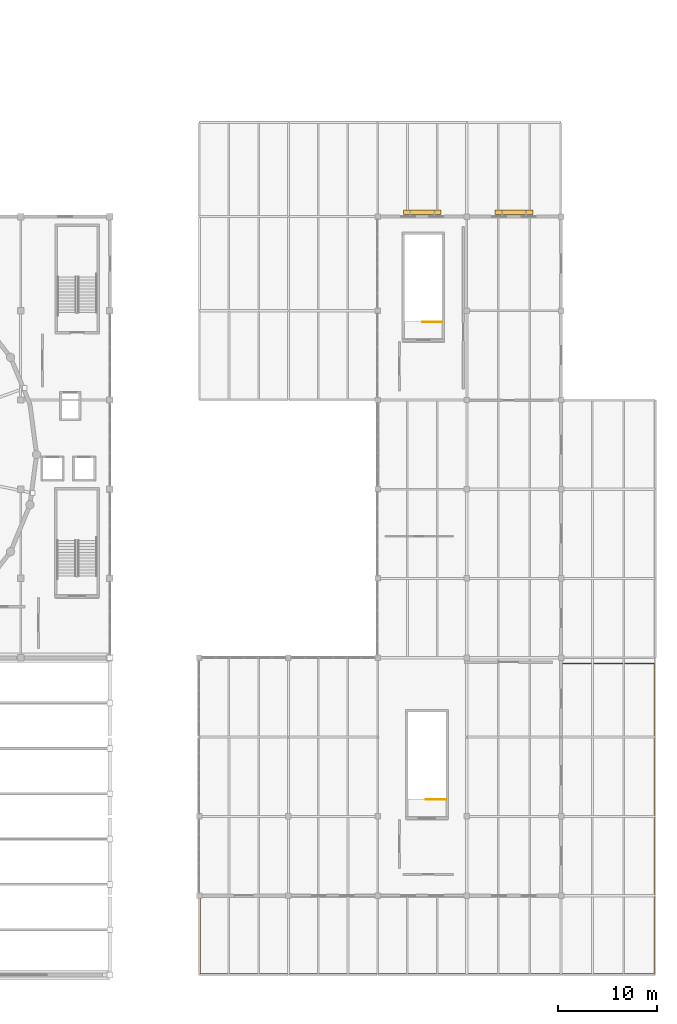
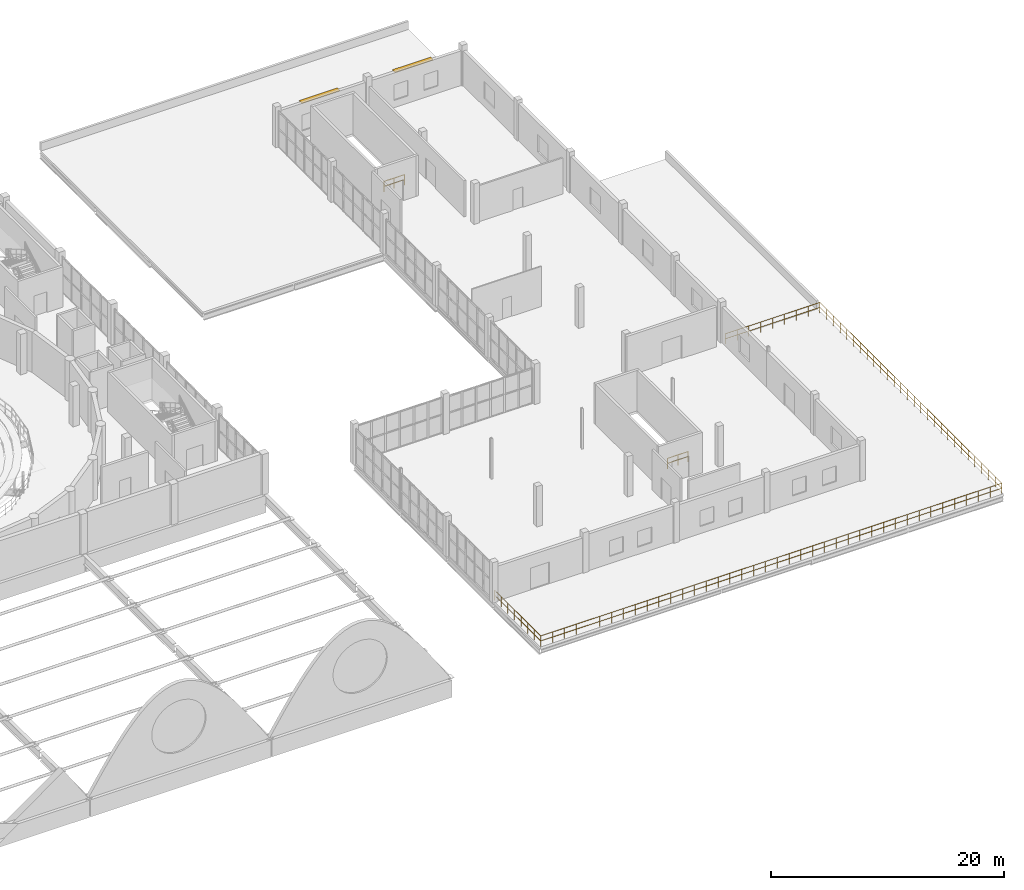
# One storey, part 54 of 54: 3 railings, 2 shading devices.
"""IFC4 building model written with IfcOpenShell, lengths in metres."""

import ifcopenshell
import ifcopenshell.guid

model = None  # the IFC model being written
_history = None  # IfcOwnerHistory: only IFC2X3 demands one
_inside = {}  # id of a spatial element -> (the spatial element, [elements in it])
_under = {}  # id of a project, library or spatial element -> (it, [spatial elements below it])
_declared = {}  # id of a project -> (the project, [libraries it declares])
_typed = {}  # id of a type object -> (the type object, [elements of that type])
_made_of = {}  # id of a material, layer set ... -> (it, [elements and type objects made of it])


def new_model(schema):
    """Start an empty IFC model of exactly this schema.

    Asked for "IFC4X3", IfcOpenShell would pick the latest addendum, in which some entities
    have other attributes; the version numbers below select the first issue.
    IFC2X3 requires an IfcOwnerHistory on every rooted entity: one is made here for all.
    """
    global model, _history
    if schema == "IFC4X3":
        model = ifcopenshell.file(schema_version=(4, 3, 0, 0))
    else:
        model = ifcopenshell.file(schema=schema)
    _inside.clear()
    _under.clear()
    _declared.clear()
    _typed.clear()
    _made_of.clear()
    _history = None
    if model.schema == "IFC2X3":
        org = make("IfcOrganization", Name="unknown")
        user = make(
            "IfcPersonAndOrganization",
            ThePerson=make("IfcPerson", FamilyName="unknown"),
            TheOrganization=org,
        )
        app = make(
            "IfcApplication",
            ApplicationDeveloper=org,
            Version="unknown",
            ApplicationFullName="unknown",
            ApplicationIdentifier="unknown",
        )
        _history = make(
            "IfcOwnerHistory",
            OwningUser=user,
            OwningApplication=app,
            ChangeAction="ADDED",
            CreationDate=0,
        )
    return model


def make(cls, **values):
    """One entity of the class cls with the attributes given. An attribute that is None is left unset."""
    return model.create_entity(
        cls, **{name: value for name, value in values.items() if value is not None}
    )


def rooted(cls, **values):
    """An entity with a GlobalId (a new one), such as an element, a storey or a relation."""
    return make(cls, GlobalId=ifcopenshell.guid.new(), OwnerHistory=_history, **values)


def si_unit(unit_type, name, prefix=None):
    """IfcSIUnit, for example si_unit("LENGTHUNIT", "METRE", prefix="MILLI")."""
    return make("IfcSIUnit", UnitType=unit_type, Prefix=prefix, Name=name)


def assignment(units):
    """IfcUnitAssignment: the units of a project."""
    return None if units is None else make("IfcUnitAssignment", Units=units)


def point(xyz):
    """IfcCartesianPoint."""
    return None if xyz is None else make("IfcCartesianPoint", Coordinates=xyz)


def direction(xyz):
    """IfcDirection."""
    return None if xyz is None else make("IfcDirection", DirectionRatios=xyz)


def frame(location, z_axis=None, x_axis=None):
    """IfcAxis2Placement3D, a coordinate frame: its origin and axes. An axis left out is left unset."""
    return make(
        "IfcAxis2Placement3D",
        Location=point(location),
        Axis=direction(z_axis),
        RefDirection=direction(x_axis),
    )


def frame_2d(location, x_axis=None):
    """IfcAxis2Placement2D, a coordinate frame in the plane: its origin and x axis."""
    return make(
        "IfcAxis2Placement2D", Location=point(location), RefDirection=direction(x_axis)
    )


def origin():
    """The frame at (0, 0, 0) with its axes left unset."""
    return frame((0.0, 0.0, 0.0))


def origin_2d():
    """The frame at (0, 0) in the plane with its x axis left unset."""
    return frame_2d((0.0, 0.0))


def place(relative_to, where):
    """IfcLocalPlacement: puts the frame where relative to a parent placement (None: the world)."""
    return make(
        "IfcLocalPlacement", PlacementRelTo=relative_to, RelativePlacement=where
    )


def context(
    kind, dimensions, precision=None, world=None, true_north=None, identifier=None
):
    """IfcGeometricRepresentationContext, for example the 3D "Model" context."""
    return make(
        "IfcGeometricRepresentationContext",
        ContextIdentifier=identifier,
        ContextType=kind,
        CoordinateSpaceDimension=dimensions,
        Precision=precision,
        WorldCoordinateSystem=world,
        TrueNorth=true_north,
    )


def subcontext(parent, identifier, kind, view, scale=None):
    """IfcGeometricRepresentationSubContext, for example "Body" below "Model"."""
    return make(
        "IfcGeometricRepresentationSubContext",
        ContextIdentifier=identifier,
        ContextType=kind,
        ParentContext=parent,
        TargetScale=scale,
        TargetView=view,
    )


def project(units=None, contexts=None):
    """IfcProject with its units and contexts."""
    return rooted(
        "IfcProject",
        Name="project",
        RepresentationContexts=contexts,
        UnitsInContext=assignment(units),
    )


def spatial(cls, under=None, at=None, **own):
    """A site, building, storey or space (cls), placed at a placement, below another one or the project."""
    s = rooted(cls, ObjectPlacement=at, **own)
    if under is not None:
        _under.setdefault(under.id(), (under, []))[1].append(s)
    return s


def profile(cls, at=None, kind="AREA", **sizes):
    """A parametric profile (cls). Its sizes go by their IFC names, for example OverallWidth=200.0."""
    return make(cls, ProfileType=kind, Position=at, **sizes)


def rectangle(**sizes):
    """IfcRectangleProfileDef."""
    return profile("IfcRectangleProfileDef", **sizes)


def circle(**sizes):
    """IfcCircleProfileDef."""
    return profile("IfcCircleProfileDef", **sizes)


def extrude(swept, where, along, depth):
    """IfcExtrudedAreaSolid: the profile swept, set in the frame where, extruded along a direction by depth."""
    return make(
        "IfcExtrudedAreaSolid",
        SweptArea=swept,
        Position=where,
        ExtrudedDirection=direction(along),
        Depth=depth,
    )


def shape(context_of_items, identifier, shape_type, items):
    """IfcShapeRepresentation: the items that make up one representation, for example the "Body"."""
    return make(
        "IfcShapeRepresentation",
        ContextOfItems=context_of_items,
        RepresentationIdentifier=identifier,
        RepresentationType=shape_type,
        Items=items,
    )


def material(Name=None, Category=None):
    """IfcMaterial."""
    return make("IfcMaterial", Name=Name, Category=Category)


def layer(
    of_material, thickness, ventilated=None, Name=None, Category=None, Priority=None
):
    """IfcMaterialLayer: one layer of a wall or slab, of a material (None: an air gap)."""
    return make(
        "IfcMaterialLayer",
        Material=of_material,
        LayerThickness=thickness,
        IsVentilated=ventilated,
        Name=Name,
        Category=Category,
        Priority=Priority,
    )


def layer_set(layers, Name=None):
    """IfcMaterialLayerSet."""
    return make("IfcMaterialLayerSet", MaterialLayers=layers, LayerSetName=Name)


def made_of(thing, what):
    """Note that an element or type object is made of a material, layer set ...; save() writes the relation."""
    if what is not None:
        _made_of.setdefault(what.id(), (what, []))[1].append(thing)
    return thing


def type_object(cls, material=None, **own):
    """A type object (cls), such as IfcWallType, which elements share."""
    return made_of(rooted(cls, **own), material)


def element(
    cls,
    number,
    at=None,
    inside=None,
    cuts=None,
    type_object=None,
    material=None,
    context=None,
    identifier="Body",
    shape_type=None,
    held_by="IfcProductDefinitionShape",
    body=None,
    shapes=None,
    **own,
):
    """One element of the class cls, such as IfcWall. Its Tag is "e" and its number.

    at: its placement. inside: the storey or other place that contains it. cuts: it is an
    opening in that element (IfcRelVoidsElement). A single representation is given by context,
    identifier, shape_type and body (its items); several are given by shapes. held_by: the class
    of the entity that holds the representations. save() writes the other relations.
    """
    e = rooted(cls, Tag="e%d" % number, ObjectPlacement=at, **own)
    if body is not None:
        shapes = [shape(context, identifier, shape_type, body)]
    if shapes is not None:
        e.Representation = make(held_by, Representations=shapes)
    if inside is not None:
        _inside.setdefault(inside.id(), (inside, []))[1].append(e)
    if cuts is not None:
        rooted(
            "IfcRelVoidsElement", RelatingBuildingElement=cuts, RelatedOpeningElement=e
        )
    if type_object is not None:
        _typed.setdefault(type_object.id(), (type_object, []))[1].append(e)
    return made_of(e, material)


def aggregate(whole, parts):
    """IfcRelAggregates: a whole, such as a stair, and the parts it consists of."""
    return rooted("IfcRelAggregates", RelatingObject=whole, RelatedObjects=parts)


def save(model, path):
    """Write the relations noted so far, then the file.

    IfcRelAggregates (storeys below a building ...), IfcRelContainedInSpatialStructure (elements
    in a storey), IfcRelDefinesByType, IfcRelAssociatesMaterial and IfcRelDeclares: one each for
    every whole, place, type object, material and project.
    """
    for whole, parts in _under.values():
        aggregate(whole, parts)
    for where, things in _inside.values():
        rooted(
            "IfcRelContainedInSpatialStructure",
            RelatedElements=things,
            RelatingStructure=where,
        )
    for kind, things in _typed.values():
        rooted("IfcRelDefinesByType", RelatedObjects=things, RelatingType=kind)
    for what, things in _made_of.values():
        rooted("IfcRelAssociatesMaterial", RelatedObjects=things, RelatingMaterial=what)
    for by, libraries in _declared.values():
        rooted("IfcRelDeclares", RelatingContext=by, RelatedDefinitions=libraries)
    model.write(path)


model = new_model("IFC4")

# Units and contexts
model_context = context("Model", 3, precision=1e-05, world=origin(), true_north=direction((0.0, 1.0)))
body_context = subcontext(model_context, "Body", "Model", "MODEL_VIEW")
ifc_project = project(units=[si_unit("LENGTHUNIT", "METRE"), si_unit("AREAUNIT", "SQUARE_METRE"), si_unit("VOLUMEUNIT", "CUBIC_METRE"), si_unit("PLANEANGLEUNIT", "RADIAN"), si_unit("MASSUNIT", "GRAM", prefix="KILO")], contexts=[model_context])

# Site, building, storey
site_placement = place(None, origin())
site = spatial("IfcSite", under=ifc_project, at=site_placement, CompositionType="ELEMENT")
building_placement = place(site_placement, origin())
building = spatial("IfcBuilding", under=site, at=building_placement, Name="Marnock Terrace Opera House", CompositionType="ELEMENT")
storey_placement = place(building_placement, frame((0.0, 0.0, 19.199951171875)))
storey = spatial("IfcBuildingStorey", under=building, at=storey_placement, Name="L04", CompositionType="ELEMENT", Elevation=19.199951171875)

# Railings
ifc_material_1 = material(Name="Architectural cast bronze")
railing_type_1 = type_object("IfcRailingType", Name="RL-BALUST-1100", PredefinedType="BALUSTRADE", material=ifc_material_1)
railing_1_placement = place(storey_placement, frame((118.10009765625, 16.0, 0.0)))
element("IfcRailing", 1, at=railing_1_placement, inside=storey, type_object=railing_type_1, Name="L04 roof-garden balustrade BAL-L04-V5-PERIM", PredefinedType="BALUSTRADE", context=body_context, shape_type="SweptSolid", body=[
    extrude(circle(Radius=0.02392578125, at=origin_2d()), frame((0.0, 0.0, 1.076171875), z_axis=(0.0, -1.0, 0.0), x_axis=(1.0, 0.0, 0.0)), (0.0, 0.0, 1.0), 7.89990234375),
    extrude(circle(Radius=0.02392578125, at=origin_2d()), frame((0.0, 0.0, 0.550048828125), z_axis=(0.0, -1.0, 0.0), x_axis=(1.0, 0.0, 0.0)), (0.0, 0.0, 1.0), 7.89990234375),
    extrude(circle(Radius=0.02392578125, at=origin_2d()), frame((0.0, -7.89990234375, 1.076171875), z_axis=(1.0, 0.0, 0.0), x_axis=(0.0, 1.0, 0.0)), (0.0, 0.0, 1.0), 45.7998046875),
    extrude(circle(Radius=0.02392578125, at=origin_2d()), frame((0.0, -7.89990234375, 0.550048828125), z_axis=(1.0, 0.0, 0.0), x_axis=(0.0, 1.0, 0.0)), (0.0, 0.0, 1.0), 45.7998046875),
    extrude(circle(Radius=0.02392578125, at=origin_2d()), frame((45.7998046875, -7.89990234375, 1.076171875), z_axis=(0.0, 1.0, 0.0), x_axis=(-1.0, 0.0, 0.0)), (0.0, 0.0, 1.0), 31.2998046875),
    extrude(circle(Radius=0.02392578125, at=origin_2d()), frame((45.7998046875, -7.89990234375, 0.550048828125), z_axis=(0.0, 1.0, 0.0), x_axis=(-1.0, 0.0, 0.0)), (0.0, 0.0, 1.0), 31.2998046875),
    extrude(circle(Radius=0.02392578125, at=origin_2d()), frame((45.7998046875, 23.39990234375, 1.076171875), z_axis=(-1.0, 0.0, 0.0), x_axis=(0.0, -1.0, 0.0)), (0.0, 0.0, 1.0), 9.39990234375),
    extrude(circle(Radius=0.02392578125, at=origin_2d()), frame((45.7998046875, 23.39990234375, 0.550048828125), z_axis=(-1.0, 0.0, 0.0), x_axis=(0.0, -1.0, 0.0)), (0.0, 0.0, 1.0), 9.39990234375),
    extrude(circle(Radius=0.02099609375, at=origin_2d()), origin(), (0.0, 0.0, 1.0), 1.052001953125),
    extrude(circle(Radius=0.02099609375, at=origin_2d()), frame((0.0, -1.128662109375, 0.0)), (0.0, 0.0, 1.0), 1.052001953125),
    extrude(circle(Radius=0.02099609375, at=origin_2d()), frame((0.0, -2.257080078125, 0.0)), (0.0, 0.0, 1.0), 1.052001953125),
    extrude(circle(Radius=0.02099609375, at=origin_2d()), frame((0.0, -3.3857421875, 0.0)), (0.0, 0.0, 1.0), 1.052001953125),
    extrude(circle(Radius=0.02099609375, at=origin_2d()), frame((0.0, -4.51416015625, 0.0)), (0.0, 0.0, 1.0), 1.052001953125),
    extrude(circle(Radius=0.02099609375, at=origin_2d()), frame((0.0, -5.642822265625, 0.0)), (0.0, 0.0, 1.0), 1.052001953125),
    extrude(circle(Radius=0.02099609375, at=origin_2d()), frame((0.0, -6.771240234375, 0.0)), (0.0, 0.0, 1.0), 1.052001953125),
    extrude(circle(Radius=0.02099609375, at=origin_2d()), frame((0.0, -7.89990234375, 0.0)), (0.0, 0.0, 1.0), 1.052001953125),
    extrude(circle(Radius=0.02099609375, at=origin_2d()), frame((1.17431640625, -7.89990234375, 0.0)), (0.0, 0.0, 1.0), 1.052001953125),
    extrude(circle(Radius=0.02099609375, at=origin_2d()), frame((2.3486328125, -7.89990234375, 0.0)), (0.0, 0.0, 1.0), 1.052001953125),
    extrude(circle(Radius=0.02099609375, at=origin_2d()), frame((3.52294921875, -7.89990234375, 0.0)), (0.0, 0.0, 1.0), 1.052001953125),
    extrude(circle(Radius=0.02099609375, at=origin_2d()), frame((4.697509765625, -7.89990234375, 0.0)), (0.0, 0.0, 1.0), 1.052001953125),
    extrude(circle(Radius=0.02099609375, at=origin_2d()), frame((5.871826171875, -7.89990234375, 0.0)), (0.0, 0.0, 1.0), 1.052001953125),
    extrude(circle(Radius=0.02099609375, at=origin_2d()), frame((7.046142578125, -7.89990234375, 0.0)), (0.0, 0.0, 1.0), 1.052001953125),
    extrude(circle(Radius=0.02099609375, at=origin_2d()), frame((8.220458984375, -7.89990234375, 0.0)), (0.0, 0.0, 1.0), 1.052001953125),
    extrude(circle(Radius=0.02099609375, at=origin_2d()), frame((9.394775390625, -7.89990234375, 0.0)), (0.0, 0.0, 1.0), 1.052001953125),
    extrude(circle(Radius=0.02099609375, at=origin_2d()), frame((10.569091796875, -7.89990234375, 0.0)), (0.0, 0.0, 1.0), 1.052001953125),
    extrude(circle(Radius=0.02099609375, at=origin_2d()), frame((11.74365234375, -7.89990234375, 0.0)), (0.0, 0.0, 1.0), 1.052001953125),
    extrude(circle(Radius=0.02099609375, at=origin_2d()), frame((12.91796875, -7.89990234375, 0.0)), (0.0, 0.0, 1.0), 1.052001953125),
    extrude(circle(Radius=0.02099609375, at=origin_2d()), frame((14.09228515625, -7.89990234375, 0.0)), (0.0, 0.0, 1.0), 1.052001953125),
    extrude(circle(Radius=0.02099609375, at=origin_2d()), frame((15.2666015625, -7.89990234375, 0.0)), (0.0, 0.0, 1.0), 1.052001953125),
    extrude(circle(Radius=0.02099609375, at=origin_2d()), frame((16.44091796875, -7.89990234375, 0.0)), (0.0, 0.0, 1.0), 1.052001953125),
    extrude(circle(Radius=0.02099609375, at=origin_2d()), frame((17.615234375, -7.89990234375, 0.0)), (0.0, 0.0, 1.0), 1.052001953125),
    extrude(circle(Radius=0.02099609375, at=origin_2d()), frame((18.78955078125, -7.89990234375, 0.0)), (0.0, 0.0, 1.0), 1.052001953125),
    extrude(circle(Radius=0.02099609375, at=origin_2d()), frame((19.964111328125, -7.89990234375, 0.0)), (0.0, 0.0, 1.0), 1.052001953125),
    extrude(circle(Radius=0.02099609375, at=origin_2d()), frame((21.138427734375, -7.89990234375, 0.0)), (0.0, 0.0, 1.0), 1.052001953125),
    extrude(circle(Radius=0.02099609375, at=origin_2d()), frame((22.312744140625, -7.89990234375, 0.0)), (0.0, 0.0, 1.0), 1.052001953125),
    extrude(circle(Radius=0.02099609375, at=origin_2d()), frame((23.487060546875, -7.89990234375, 0.0)), (0.0, 0.0, 1.0), 1.052001953125),
    extrude(circle(Radius=0.02099609375, at=origin_2d()), frame((24.661376953125, -7.89990234375, 0.0)), (0.0, 0.0, 1.0), 1.052001953125),
    extrude(circle(Radius=0.02099609375, at=origin_2d()), frame((25.835693359375, -7.89990234375, 0.0)), (0.0, 0.0, 1.0), 1.052001953125),
    extrude(circle(Radius=0.02099609375, at=origin_2d()), frame((27.01025390625, -7.89990234375, 0.0)), (0.0, 0.0, 1.0), 1.052001953125),
    extrude(circle(Radius=0.02099609375, at=origin_2d()), frame((28.1845703125, -7.89990234375, 0.0)), (0.0, 0.0, 1.0), 1.052001953125),
    extrude(circle(Radius=0.02099609375, at=origin_2d()), frame((29.35888671875, -7.89990234375, 0.0)), (0.0, 0.0, 1.0), 1.052001953125),
    extrude(circle(Radius=0.02099609375, at=origin_2d()), frame((30.533203125, -7.89990234375, 0.0)), (0.0, 0.0, 1.0), 1.052001953125),
    extrude(circle(Radius=0.02099609375, at=origin_2d()), frame((31.70751953125, -7.89990234375, 0.0)), (0.0, 0.0, 1.0), 1.052001953125),
    extrude(circle(Radius=0.02099609375, at=origin_2d()), frame((32.8818359375, -7.89990234375, 0.0)), (0.0, 0.0, 1.0), 1.052001953125),
    extrude(circle(Radius=0.02099609375, at=origin_2d()), frame((34.05615234375, -7.89990234375, 0.0)), (0.0, 0.0, 1.0), 1.052001953125),
    extrude(circle(Radius=0.02099609375, at=origin_2d()), frame((35.230712890625, -7.89990234375, 0.0)), (0.0, 0.0, 1.0), 1.052001953125),
    extrude(circle(Radius=0.02099609375, at=origin_2d()), frame((36.405029296875, -7.89990234375, 0.0)), (0.0, 0.0, 1.0), 1.052001953125),
    extrude(circle(Radius=0.02099609375, at=origin_2d()), frame((37.579345703125, -7.89990234375, 0.0)), (0.0, 0.0, 1.0), 1.052001953125),
    extrude(circle(Radius=0.02099609375, at=origin_2d()), frame((38.753662109375, -7.89990234375, 0.0)), (0.0, 0.0, 1.0), 1.052001953125),
    extrude(circle(Radius=0.02099609375, at=origin_2d()), frame((39.927978515625, -7.89990234375, 0.0)), (0.0, 0.0, 1.0), 1.052001953125),
    extrude(circle(Radius=0.02099609375, at=origin_2d()), frame((41.102294921875, -7.89990234375, 0.0)), (0.0, 0.0, 1.0), 1.052001953125),
    extrude(circle(Radius=0.02099609375, at=origin_2d()), frame((42.27685546875, -7.89990234375, 0.0)), (0.0, 0.0, 1.0), 1.052001953125),
    extrude(circle(Radius=0.02099609375, at=origin_2d()), frame((43.451171875, -7.89990234375, 0.0)), (0.0, 0.0, 1.0), 1.052001953125),
    extrude(circle(Radius=0.02099609375, at=origin_2d()), frame((44.62548828125, -7.89990234375, 0.0)), (0.0, 0.0, 1.0), 1.052001953125),
    extrude(circle(Radius=0.02099609375, at=origin_2d()), frame((45.7998046875, -7.89990234375, 0.0)), (0.0, 0.0, 1.0), 1.052001953125),
    extrude(circle(Radius=0.02099609375, at=origin_2d()), frame((45.7998046875, -6.74072265625, 0.0)), (0.0, 0.0, 1.0), 1.052001953125),
    extrude(circle(Radius=0.02099609375, at=origin_2d()), frame((45.7998046875, -5.581298828125, 0.0)), (0.0, 0.0, 1.0), 1.052001953125),
    extrude(circle(Radius=0.02099609375, at=origin_2d()), frame((45.7998046875, -4.422119140625, 0.0)), (0.0, 0.0, 1.0), 1.052001953125),
    extrude(circle(Radius=0.02099609375, at=origin_2d()), frame((45.7998046875, -3.262939453125, 0.0)), (0.0, 0.0, 1.0), 1.052001953125),
    extrude(circle(Radius=0.02099609375, at=origin_2d()), frame((45.7998046875, -2.103759765625, 0.0)), (0.0, 0.0, 1.0), 1.052001953125),
    extrude(circle(Radius=0.02099609375, at=origin_2d()), frame((45.7998046875, -0.9443359375, 0.0)), (0.0, 0.0, 1.0), 1.052001953125),
    extrude(circle(Radius=0.02099609375, at=origin_2d()), frame((45.7998046875, 0.21484375, 0.0)), (0.0, 0.0, 1.0), 1.052001953125),
    extrude(circle(Radius=0.02099609375, at=origin_2d()), frame((45.7998046875, 1.3740234375, 0.0)), (0.0, 0.0, 1.0), 1.052001953125),
    extrude(circle(Radius=0.02099609375, at=origin_2d()), frame((45.7998046875, 2.533447265625, 0.0)), (0.0, 0.0, 1.0), 1.052001953125),
    extrude(circle(Radius=0.02099609375, at=origin_2d()), frame((45.7998046875, 3.692626953125, 0.0)), (0.0, 0.0, 1.0), 1.052001953125),
    extrude(circle(Radius=0.02099609375, at=origin_2d()), frame((45.7998046875, 4.851806640625, 0.0)), (0.0, 0.0, 1.0), 1.052001953125),
    extrude(circle(Radius=0.02099609375, at=origin_2d()), frame((45.7998046875, 6.01123046875, 0.0)), (0.0, 0.0, 1.0), 1.052001953125),
    extrude(circle(Radius=0.02099609375, at=origin_2d()), frame((45.7998046875, 7.17041015625, 0.0)), (0.0, 0.0, 1.0), 1.052001953125),
    extrude(circle(Radius=0.02099609375, at=origin_2d()), frame((45.7998046875, 8.32958984375, 0.0)), (0.0, 0.0, 1.0), 1.052001953125),
    extrude(circle(Radius=0.02099609375, at=origin_2d()), frame((45.7998046875, 9.48876953125, 0.0)), (0.0, 0.0, 1.0), 1.052001953125),
    extrude(circle(Radius=0.02099609375, at=origin_2d()), frame((45.7998046875, 10.648193359375, 0.0)), (0.0, 0.0, 1.0), 1.052001953125),
    extrude(circle(Radius=0.02099609375, at=origin_2d()), frame((45.7998046875, 11.807373046875, 0.0)), (0.0, 0.0, 1.0), 1.052001953125),
    extrude(circle(Radius=0.02099609375, at=origin_2d()), frame((45.7998046875, 12.966552734375, 0.0)), (0.0, 0.0, 1.0), 1.052001953125),
    extrude(circle(Radius=0.02099609375, at=origin_2d()), frame((45.7998046875, 14.1259765625, 0.0)), (0.0, 0.0, 1.0), 1.052001953125),
    extrude(circle(Radius=0.02099609375, at=origin_2d()), frame((45.7998046875, 15.28515625, 0.0)), (0.0, 0.0, 1.0), 1.052001953125),
    extrude(circle(Radius=0.02099609375, at=origin_2d()), frame((45.7998046875, 16.4443359375, 0.0)), (0.0, 0.0, 1.0), 1.052001953125),
    extrude(circle(Radius=0.02099609375, at=origin_2d()), frame((45.7998046875, 17.603759765625, 0.0)), (0.0, 0.0, 1.0), 1.052001953125),
    extrude(circle(Radius=0.02099609375, at=origin_2d()), frame((45.7998046875, 18.762939453125, 0.0)), (0.0, 0.0, 1.0), 1.052001953125),
    extrude(circle(Radius=0.02099609375, at=origin_2d()), frame((45.7998046875, 19.922119140625, 0.0)), (0.0, 0.0, 1.0), 1.052001953125),
    extrude(circle(Radius=0.02099609375, at=origin_2d()), frame((45.7998046875, 21.081298828125, 0.0)), (0.0, 0.0, 1.0), 1.052001953125),
    extrude(circle(Radius=0.02099609375, at=origin_2d()), frame((45.7998046875, 22.24072265625, 0.0)), (0.0, 0.0, 1.0), 1.052001953125),
    extrude(circle(Radius=0.02099609375, at=origin_2d()), frame((45.7998046875, 23.39990234375, 0.0)), (0.0, 0.0, 1.0), 1.052001953125),
    extrude(circle(Radius=0.02099609375, at=origin_2d()), frame((44.624755859375, 23.39990234375, 0.0)), (0.0, 0.0, 1.0), 1.052001953125),
    extrude(circle(Radius=0.02099609375, at=origin_2d()), frame((43.44970703125, 23.39990234375, 0.0)), (0.0, 0.0, 1.0), 1.052001953125),
    extrude(circle(Radius=0.02099609375, at=origin_2d()), frame((42.27490234375, 23.39990234375, 0.0)), (0.0, 0.0, 1.0), 1.052001953125),
    extrude(circle(Radius=0.02099609375, at=origin_2d()), frame((41.099853515625, 23.39990234375, 0.0)), (0.0, 0.0, 1.0), 1.052001953125),
    extrude(circle(Radius=0.02099609375, at=origin_2d()), frame((39.9248046875, 23.39990234375, 0.0)), (0.0, 0.0, 1.0), 1.052001953125),
    extrude(circle(Radius=0.02099609375, at=origin_2d()), frame((38.75, 23.39990234375, 0.0)), (0.0, 0.0, 1.0), 1.052001953125),
    extrude(circle(Radius=0.02099609375, at=origin_2d()), frame((37.574951171875, 23.39990234375, 0.0)), (0.0, 0.0, 1.0), 1.052001953125),
    extrude(circle(Radius=0.02099609375, at=origin_2d()), frame((36.39990234375, 23.39990234375, 0.0)), (0.0, 0.0, 1.0), 1.052001953125),
])
ifc_material_2 = material(Name="Architectural bronze balustrade")
railing_type_2 = type_object("IfcRailingType", Name="RL-GUARD-1100", PredefinedType="GUARDRAIL", material=ifc_material_2)
railing_2_placement = place(storey_placement, frame((142.919921875, 25.7099609375, 0.0)))
element("IfcRailing", 2, at=railing_2_placement, inside=storey, type_object=railing_type_2, Name="L04 ST-06 top well guard 1", PredefinedType="GUARDRAIL", context=body_context, shape_type="SweptSolid", body=[
    extrude(circle(Radius=0.02392578125, at=origin_2d()), frame((0.0, 0.0, 1.076171875), z_axis=(-1.0, 0.0, 0.0), x_axis=(0.0, -1.0, 0.0)), (0.0, 0.0, 1.0), 2.0400390625),
    extrude(circle(Radius=0.02392578125, at=origin_2d()), frame((0.0, 0.0, 0.550048828125), z_axis=(-1.0, 0.0, 0.0), x_axis=(0.0, -1.0, 0.0)), (0.0, 0.0, 1.0), 2.0400390625),
    extrude(circle(Radius=0.02099609375, at=origin_2d()), origin(), (0.0, 0.0, 1.0), 1.052001953125),
    extrude(circle(Radius=0.02099609375, at=origin_2d()), frame((-1.02001953125, 0.0, 0.0)), (0.0, 0.0, 1.0), 1.052001953125),
    extrude(circle(Radius=0.02099609375, at=origin_2d()), frame((-2.0400390625, 0.0, 0.0)), (0.0, 0.0, 1.0), 1.052001953125),
])
railing_3_placement = place(storey_placement, frame((142.52001953125, 73.8701171875, 0.0)))
element("IfcRailing", 3, at=railing_3_placement, inside=storey, type_object=railing_type_2, Name="L04 ST-08 top well guard 1", PredefinedType="GUARDRAIL", context=body_context, shape_type="SweptSolid", body=[
    extrude(circle(Radius=0.02392578125, at=origin_2d()), frame((0.0, 0.0, 1.076171875), z_axis=(-1.0, 0.0, 0.0), x_axis=(0.0, -1.0, 0.0)), (0.0, 0.0, 1.0), 2.0),
    extrude(circle(Radius=0.02392578125, at=origin_2d()), frame((0.0, 0.0, 0.550048828125), z_axis=(-1.0, 0.0, 0.0), x_axis=(0.0, -1.0, 0.0)), (0.0, 0.0, 1.0), 2.0),
    extrude(circle(Radius=0.02099609375, at=origin_2d()), origin(), (0.0, 0.0, 1.0), 1.052001953125),
    extrude(circle(Radius=0.02099609375, at=origin_2d()), frame((-1.0, 0.0, 0.0)), (0.0, 0.0, 1.0), 1.052001953125),
    extrude(circle(Radius=0.02099609375, at=origin_2d()), frame((-2.0, 0.0, 0.0)), (0.0, 0.0, 1.0), 1.052001953125),
])

# Shading devices
ifc_layer = layer(ifc_material_1, 0.054931640625)
ifc_layer_set = layer_set([ifc_layer], Name="Architectural cast bronze")
shading_device_type = type_object("IfcShadingDeviceType", Name="SHD-LOUVRE-3800", PredefinedType="JALOUSIE", material=ifc_layer_set)
for number, where, z_axis, x_axis, name in (
    (4, (140.5, 84.925048828125, 3.345703125), (0.0, 0.0, 1.0), (1.0, 0.0, 0.0), "Adelaide sun-control bronze brise-soleil EW-V5N-L04-1"),
    (5, (149.75, 84.925048828125, 3.3408203125), (0.0, 0.0, 1.0), (1.0, 0.0, 0.0), "Adelaide sun-control bronze brise-soleil EW-V5N-L04-2"),
):
    element("IfcShadingDevice", number, at=place(storey_placement, frame(where, z_axis=z_axis, x_axis=x_axis)), inside=storey, type_object=shading_device_type, Name=name, PredefinedType="JALOUSIE", context=body_context, shape_type="SweptSolid", body=[
        extrude(rectangle(XDim=3.800048828125, YDim=0.449951171875, at=origin_2d()), origin(), (0.0, 0.0, 1.0), 0.054931640625),
    ])

save(model, "model.ifc")
